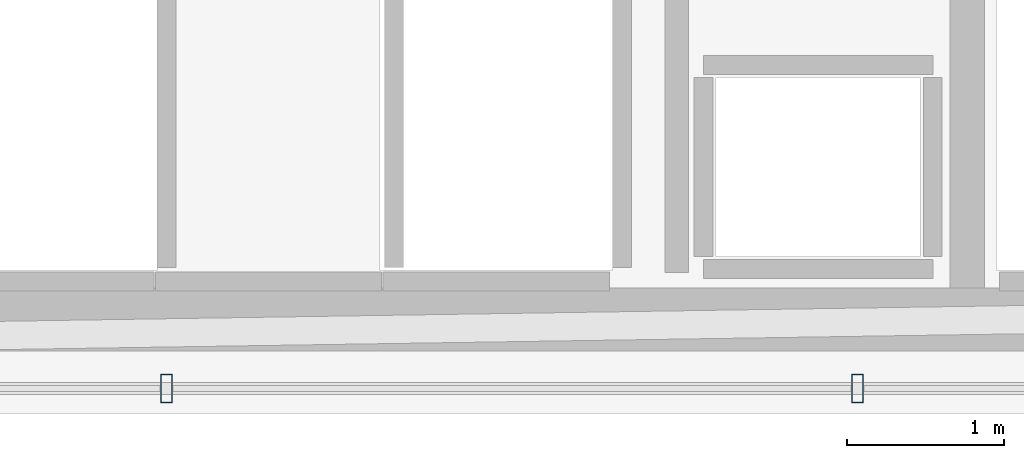
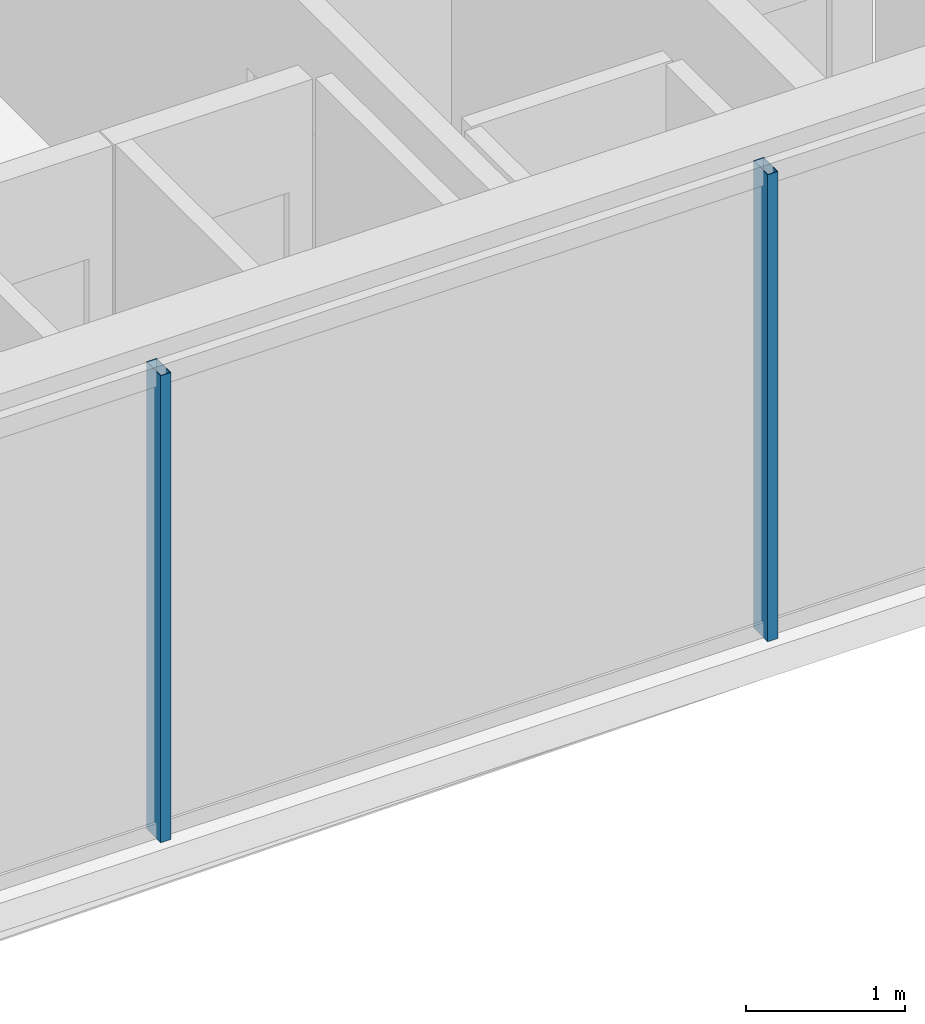
# One storey, part 9 of 32: 2 members, 1 element without a shape of its own.
"""IFC4 building model written with IfcOpenShell, lengths in metres."""

import ifcopenshell
import ifcopenshell.guid

model = None  # the IFC model being written
_history = None  # IfcOwnerHistory: only IFC2X3 demands one
_inside = {}  # id of a spatial element -> (the spatial element, [elements in it])
_under = {}  # id of a project, library or spatial element -> (it, [spatial elements below it])
_declared = {}  # id of a project -> (the project, [libraries it declares])
_typed = {}  # id of a type object -> (the type object, [elements of that type])
_made_of = {}  # id of a material, layer set ... -> (it, [elements and type objects made of it])


def new_model(schema):
    """Start an empty IFC model of exactly this schema.

    Asked for "IFC4X3", IfcOpenShell would pick the latest addendum, in which some entities
    have other attributes; the version numbers below select the first issue.
    IFC2X3 requires an IfcOwnerHistory on every rooted entity: one is made here for all.
    """
    global model, _history
    if schema == "IFC4X3":
        model = ifcopenshell.file(schema_version=(4, 3, 0, 0))
    else:
        model = ifcopenshell.file(schema=schema)
    _inside.clear()
    _under.clear()
    _declared.clear()
    _typed.clear()
    _made_of.clear()
    _history = None
    if model.schema == "IFC2X3":
        org = make("IfcOrganization", Name="unknown")
        user = make(
            "IfcPersonAndOrganization",
            ThePerson=make("IfcPerson", FamilyName="unknown"),
            TheOrganization=org,
        )
        app = make(
            "IfcApplication",
            ApplicationDeveloper=org,
            Version="unknown",
            ApplicationFullName="unknown",
            ApplicationIdentifier="unknown",
        )
        _history = make(
            "IfcOwnerHistory",
            OwningUser=user,
            OwningApplication=app,
            ChangeAction="ADDED",
            CreationDate=0,
        )
    return model


def make(cls, **values):
    """One entity of the class cls with the attributes given. An attribute that is None is left unset."""
    return model.create_entity(
        cls, **{name: value for name, value in values.items() if value is not None}
    )


def rooted(cls, **values):
    """An entity with a GlobalId (a new one), such as an element, a storey or a relation."""
    return make(cls, GlobalId=ifcopenshell.guid.new(), OwnerHistory=_history, **values)


def si_unit(unit_type, name, prefix=None):
    """IfcSIUnit, for example si_unit("LENGTHUNIT", "METRE", prefix="MILLI")."""
    return make("IfcSIUnit", UnitType=unit_type, Prefix=prefix, Name=name)


def assignment(units):
    """IfcUnitAssignment: the units of a project."""
    return None if units is None else make("IfcUnitAssignment", Units=units)


def point(xyz):
    """IfcCartesianPoint."""
    return None if xyz is None else make("IfcCartesianPoint", Coordinates=xyz)


def direction(xyz):
    """IfcDirection."""
    return None if xyz is None else make("IfcDirection", DirectionRatios=xyz)


def frame(location, z_axis=None, x_axis=None):
    """IfcAxis2Placement3D, a coordinate frame: its origin and axes. An axis left out is left unset."""
    return make(
        "IfcAxis2Placement3D",
        Location=point(location),
        Axis=direction(z_axis),
        RefDirection=direction(x_axis),
    )


def frame_2d(location, x_axis=None):
    """IfcAxis2Placement2D, a coordinate frame in the plane: its origin and x axis."""
    return make(
        "IfcAxis2Placement2D", Location=point(location), RefDirection=direction(x_axis)
    )


def origin():
    """The frame at (0, 0, 0) with its axes left unset."""
    return frame((0.0, 0.0, 0.0))


def origin_2d():
    """The frame at (0, 0) in the plane with its x axis left unset."""
    return frame_2d((0.0, 0.0))


def place(relative_to, where):
    """IfcLocalPlacement: puts the frame where relative to a parent placement (None: the world)."""
    return make(
        "IfcLocalPlacement", PlacementRelTo=relative_to, RelativePlacement=where
    )


def context(
    kind, dimensions, precision=None, world=None, true_north=None, identifier=None
):
    """IfcGeometricRepresentationContext, for example the 3D "Model" context."""
    return make(
        "IfcGeometricRepresentationContext",
        ContextIdentifier=identifier,
        ContextType=kind,
        CoordinateSpaceDimension=dimensions,
        Precision=precision,
        WorldCoordinateSystem=world,
        TrueNorth=true_north,
    )


def subcontext(parent, identifier, kind, view, scale=None):
    """IfcGeometricRepresentationSubContext, for example "Body" below "Model"."""
    return make(
        "IfcGeometricRepresentationSubContext",
        ContextIdentifier=identifier,
        ContextType=kind,
        ParentContext=parent,
        TargetScale=scale,
        TargetView=view,
    )


def project(units=None, contexts=None):
    """IfcProject with its units and contexts."""
    return rooted(
        "IfcProject",
        Name="project",
        RepresentationContexts=contexts,
        UnitsInContext=assignment(units),
    )


def spatial(cls, under=None, at=None, **own):
    """A site, building, storey or space (cls), placed at a placement, below another one or the project."""
    s = rooted(cls, ObjectPlacement=at, **own)
    if under is not None:
        _under.setdefault(under.id(), (under, []))[1].append(s)
    return s


def profile(cls, at=None, kind="AREA", **sizes):
    """A parametric profile (cls). Its sizes go by their IFC names, for example OverallWidth=200.0."""
    return make(cls, ProfileType=kind, Position=at, **sizes)


def hollow_rectangle(**sizes):
    """IfcRectangleHollowProfileDef."""
    return profile("IfcRectangleHollowProfileDef", **sizes)


def extrude(swept, where, along, depth):
    """IfcExtrudedAreaSolid: the profile swept, set in the frame where, extruded along a direction by depth."""
    return make(
        "IfcExtrudedAreaSolid",
        SweptArea=swept,
        Position=where,
        ExtrudedDirection=direction(along),
        Depth=depth,
    )


def shape(context_of_items, identifier, shape_type, items):
    """IfcShapeRepresentation: the items that make up one representation, for example the "Body"."""
    return make(
        "IfcShapeRepresentation",
        ContextOfItems=context_of_items,
        RepresentationIdentifier=identifier,
        RepresentationType=shape_type,
        Items=items,
    )


def material(Name=None, Category=None):
    """IfcMaterial."""
    return make("IfcMaterial", Name=Name, Category=Category)


def layer(
    of_material, thickness, ventilated=None, Name=None, Category=None, Priority=None
):
    """IfcMaterialLayer: one layer of a wall or slab, of a material (None: an air gap)."""
    return make(
        "IfcMaterialLayer",
        Material=of_material,
        LayerThickness=thickness,
        IsVentilated=ventilated,
        Name=Name,
        Category=Category,
        Priority=Priority,
    )


def layer_set(layers, Name=None):
    """IfcMaterialLayerSet."""
    return make("IfcMaterialLayerSet", MaterialLayers=layers, LayerSetName=Name)


def material_profile(
    of_material, cross_section, Name=None, Category=None, Priority=None
):
    """IfcMaterialProfile: a cross section and its material."""
    return make(
        "IfcMaterialProfile",
        Name=Name,
        Material=of_material,
        Profile=cross_section,
        Priority=Priority,
        Category=Category,
    )


def profile_set(profiles, Name=None, composite=None):
    """IfcMaterialProfileSet."""
    return make(
        "IfcMaterialProfileSet",
        Name=Name,
        MaterialProfiles=profiles,
        CompositeProfile=composite,
    )


def made_of(thing, what):
    """Note that an element or type object is made of a material, layer set ...; save() writes the relation."""
    if what is not None:
        _made_of.setdefault(what.id(), (what, []))[1].append(thing)
    return thing


def type_object(cls, material=None, **own):
    """A type object (cls), such as IfcWallType, which elements share."""
    return made_of(rooted(cls, **own), material)


def element(
    cls,
    number,
    at=None,
    inside=None,
    cuts=None,
    type_object=None,
    material=None,
    context=None,
    identifier="Body",
    shape_type=None,
    held_by="IfcProductDefinitionShape",
    body=None,
    shapes=None,
    **own,
):
    """One element of the class cls, such as IfcWall. Its Tag is "e" and its number.

    at: its placement. inside: the storey or other place that contains it. cuts: it is an
    opening in that element (IfcRelVoidsElement). A single representation is given by context,
    identifier, shape_type and body (its items); several are given by shapes. held_by: the class
    of the entity that holds the representations. save() writes the other relations.
    """
    e = rooted(cls, Tag="e%d" % number, ObjectPlacement=at, **own)
    if body is not None:
        shapes = [shape(context, identifier, shape_type, body)]
    if shapes is not None:
        e.Representation = make(held_by, Representations=shapes)
    if inside is not None:
        _inside.setdefault(inside.id(), (inside, []))[1].append(e)
    if cuts is not None:
        rooted(
            "IfcRelVoidsElement", RelatingBuildingElement=cuts, RelatedOpeningElement=e
        )
    if type_object is not None:
        _typed.setdefault(type_object.id(), (type_object, []))[1].append(e)
    return made_of(e, material)


def aggregate(whole, parts):
    """IfcRelAggregates: a whole, such as a stair, and the parts it consists of."""
    return rooted("IfcRelAggregates", RelatingObject=whole, RelatedObjects=parts)


def save(model, path):
    """Write the relations noted so far, then the file.

    IfcRelAggregates (storeys below a building ...), IfcRelContainedInSpatialStructure (elements
    in a storey), IfcRelDefinesByType, IfcRelAssociatesMaterial and IfcRelDeclares: one each for
    every whole, place, type object, material and project.
    """
    for whole, parts in _under.values():
        aggregate(whole, parts)
    for where, things in _inside.values():
        rooted(
            "IfcRelContainedInSpatialStructure",
            RelatedElements=things,
            RelatingStructure=where,
        )
    for kind, things in _typed.values():
        rooted("IfcRelDefinesByType", RelatedObjects=things, RelatingType=kind)
    for what, things in _made_of.values():
        rooted("IfcRelAssociatesMaterial", RelatedObjects=things, RelatingMaterial=what)
    for by, libraries in _declared.values():
        rooted("IfcRelDeclares", RelatingContext=by, RelatedDefinitions=libraries)
    model.write(path)


model = new_model("IFC4")

# Units and contexts
model_context = context("Model", 3, precision=1e-05, world=origin(), true_north=direction((0.0, 1.0)))
body_context = subcontext(model_context, "Body", "Model", "MODEL_VIEW")
ifc_project = project(units=[si_unit("LENGTHUNIT", "METRE"), si_unit("AREAUNIT", "SQUARE_METRE"), si_unit("VOLUMEUNIT", "CUBIC_METRE"), si_unit("PLANEANGLEUNIT", "RADIAN"), si_unit("MASSUNIT", "GRAM", prefix="KILO")], contexts=[model_context])

# Site, building, storey
site_placement = place(None, origin())
site = spatial("IfcSite", under=ifc_project, at=site_placement, CompositionType="ELEMENT")
building_placement = place(site_placement, origin())
building = spatial("IfcBuilding", under=site, at=building_placement, Name="Ndaravel Arena Tower", CompositionType="ELEMENT")
storey_placement = place(building_placement, frame((0.0, 0.0, 256.0)))
storey = spatial("IfcBuildingStorey", under=building, at=storey_placement, Name="L62", CompositionType="ELEMENT", Elevation=256.0)

# Curtain wall, members
ifc_material_1 = material(Name="Aluminium", Category="aluminium")
ifc_layer = layer(ifc_material_1, 0.179931640625)
ifc_layer_set = layer_set([ifc_layer], Name="Aluminium")
curtain_wall_type = type_object("IfcCurtainWallType", Name="CW-SYS-03", PredefinedType="NOTDEFINED", material=ifc_layer_set)
curtain_wall_placement = place(storey_placement, origin())
curtain_wall = element("IfcCurtainWall", 1, at=curtain_wall_placement, inside=storey, type_object=curtain_wall_type, Name="L62 Faceted Crystal Curtain Wall CW-L62-E01", PredefinedType="NOTDEFINED")
ifc_material_2 = material(Name="Aluminium", Category="aluminium")
ifc_material_profile = material_profile(ifc_material_2, hollow_rectangle(XDim=0.074951171875, YDim=0.179931640625, WallThickness=0.00390625, at=origin_2d()), Name="CW MULLION 75x180x4")
ifc_profile_set = profile_set([ifc_material_profile], Name="Aluminium")
member_type = type_object("IfcMemberType", Name="MEM-CW-MUL180", PredefinedType="MULLION", material=ifc_profile_set)
member_1_placement = place(storey_placement, frame((44.2001953125, 5.159912109375, 0.0), z_axis=(0.0, 0.0, 1.0), x_axis=(1.0, 0.0, 0.0)))
member_1 = element("IfcMember", 2, at=member_1_placement, type_object=member_type, Name="CW-L62-E01 Mullion 05", PredefinedType="MULLION", context=body_context, shape_type="SweptSolid", body=[
    extrude(hollow_rectangle(XDim=0.074951171875, YDim=0.179931640625, WallThickness=0.00390625, at=origin_2d()), origin(), (0.0, 0.0, 1.0), 3.580078125),
])
member_2_placement = place(storey_placement, frame((48.60107421875, 5.159912109375, 0.0), z_axis=(0.0, 0.0, 1.0), x_axis=(1.0, 0.0, 0.0)))
member_2 = element("IfcMember", 3, at=member_2_placement, type_object=member_type, Name="CW-L62-E01 Mullion 06", PredefinedType="MULLION", context=body_context, shape_type="SweptSolid", body=[
    extrude(hollow_rectangle(XDim=0.074951171875, YDim=0.179931640625, WallThickness=0.00390625, at=origin_2d()), origin(), (0.0, 0.0, 1.0), 3.580078125),
])
aggregate(curtain_wall, [member_1, member_2])

save(model, "model.ifc")
